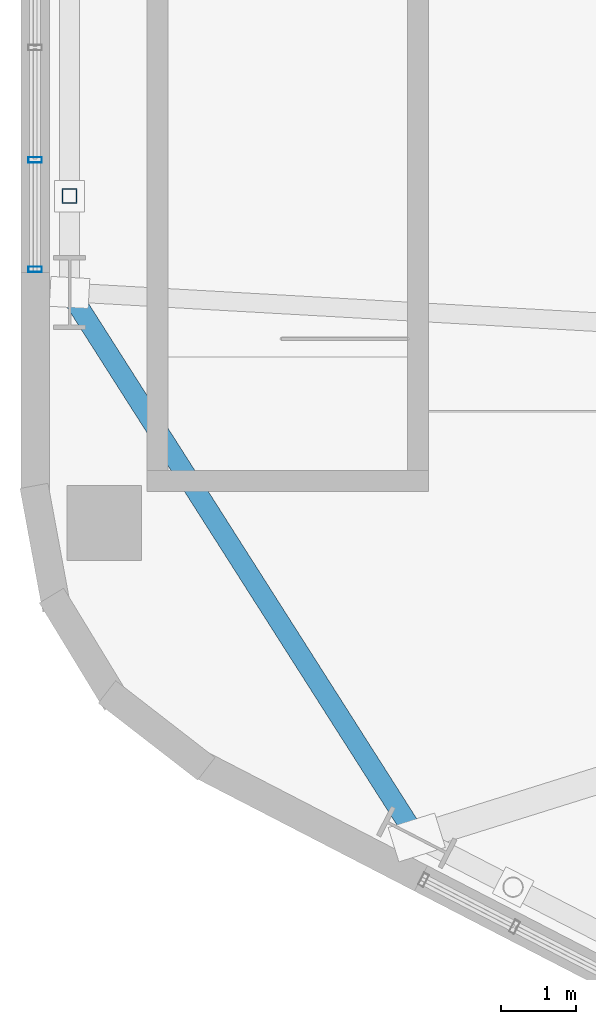
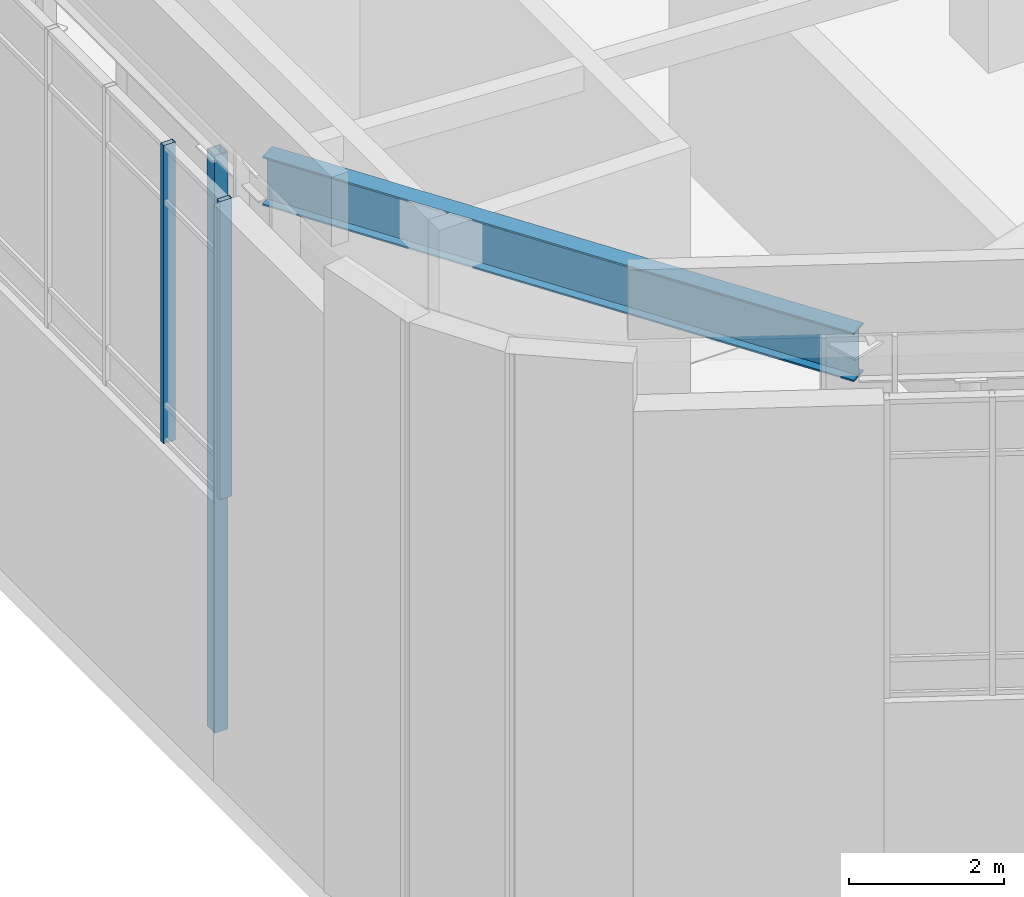
# One storey, part 3 of 23: 3 members, 1 beam, 1 element without a shape of its own.
"""IFC4 building model written with IfcOpenShell, lengths in metres."""

from ifc_helpers import new_model, si_unit, direction, frame, origin, origin_2d, place, context, subcontext, project, spatial, hollow_rectangle, i_section, extrude, material, layer, layer_set, material_profile, profile_set, type_object, element, aggregate, save


model = new_model("IFC4")

# Units and contexts
model_context = context("Model", 3, precision=1e-05, world=origin(), true_north=direction((0.0, 1.0)))
body_context = subcontext(model_context, "Body", "Model", "MODEL_VIEW")
ifc_project = project(units=[si_unit("LENGTHUNIT", "METRE"), si_unit("AREAUNIT", "SQUARE_METRE"), si_unit("VOLUMEUNIT", "CUBIC_METRE"), si_unit("PLANEANGLEUNIT", "RADIAN"), si_unit("MASSUNIT", "GRAM", prefix="KILO"), si_unit("THERMODYNAMICTEMPERATUREUNIT", "KELVIN"), si_unit("POWERUNIT", "WATT")], contexts=[model_context])

# Site, building, storey
site_placement = place(None, origin())
site = spatial("IfcSite", under=ifc_project, at=site_placement, CompositionType="ELEMENT")
building_placement = place(site_placement, origin())
building = spatial("IfcBuilding", under=site, at=building_placement, Name="Skarre Station Tower", CompositionType="ELEMENT")
storey_placement = place(building_placement, frame((0.0, 0.0, 291.300048828125)))
storey = spatial("IfcBuildingStorey", under=building, at=storey_placement, Name="RF", CompositionType="ELEMENT", Elevation=291.300048828125)

# Curtain wall, members
ifc_material_1 = material(Name="Thermally Broken Bronze-Anodized Aluminium & Triple Low-E Glass", Category="aluminium")
ifc_layer = layer(ifc_material_1, 0.179931640625, Name="Thermally Broken Bronze-Anodized Aluminium & Triple Low-E Glass")
ifc_layer_set = layer_set([ifc_layer], Name="Thermally Broken Bronze-Anodized Aluminium & Triple Low-E Glass")
curtain_wall_type = type_object("IfcCurtainWallType", Name="Nordic Bronze Crown Lantern Stick Curtain Wall", PredefinedType="NOTDEFINED", material=ifc_layer_set)
curtain_wall_placement = place(storey_placement, origin())
curtain_wall = element("IfcCurtainWall", 1, at=curtain_wall_placement, inside=storey, type_object=curtain_wall_type, Name="RF Crown Lantern Facet 2 Curtain Wall", PredefinedType="NOTDEFINED")
ifc_material_2 = material(Name="Anodized Aluminium 6063-T6", Category="aluminium")
ifc_material_profile_1 = material_profile(ifc_material_2, hollow_rectangle(XDim=0.074951171875, YDim=0.179931640625, WallThickness=0.00390625, at=origin_2d()), Name="Anodized Aluminium 6063-T6")
ifc_profile_set_1 = profile_set([ifc_material_profile_1], Name="Anodized Aluminium 6063-T6")
member_type_1 = type_object("IfcMemberType", Name="Curtain-Wall Unitised Tower Mullion 180x75", PredefinedType="MULLION", material=ifc_profile_set_1)
member_1_placement = place(storey_placement, frame((15.376953125, 20.287109375, 4.39990234375), z_axis=(0.0, 0.0, 1.0), x_axis=(0.0, 1.0, 0.0)))
member_1 = element("IfcMember", 2, at=member_1_placement, type_object=member_type_1, Name="RF Crown Lantern Facet 2 Curtain Wall Mullion 1", PredefinedType="MULLION", context=body_context, shape_type="SweptSolid", body=[
    extrude(hollow_rectangle(XDim=0.074951171875, YDim=0.179931640625, WallThickness=0.00390625, at=origin_2d()), origin(), (0.0, 0.0, 1.0), 4.7099609375),
])
member_2_placement = place(storey_placement, frame((15.376953125, 21.748046875, 4.39990234375), z_axis=(0.0, 0.0, 1.0), x_axis=(0.0, 1.0, 0.0)))
member_2 = element("IfcMember", 3, at=member_2_placement, type_object=member_type_1, Name="RF Crown Lantern Facet 2 Curtain Wall Mullion 2", PredefinedType="MULLION", context=body_context, shape_type="SweptSolid", body=[
    extrude(hollow_rectangle(XDim=0.074951171875, YDim=0.179931640625, WallThickness=0.00390625, at=origin_2d()), origin(), (0.0, 0.0, 1.0), 4.7099609375),
])
aggregate(curtain_wall, [member_1, member_2])

# Beam
ifc_material_3 = material(Name="Steel ASTM A992 Grade 50", Category="steel")
ifc_material_profile_2 = material_profile(ifc_material_3, i_section(OverallWidth=0.26806640625, OverallDepth=0.77001953125, WebThickness=0.01611328125, FlangeThickness=0.02490234375, at=origin_2d()), Name="Steel ASTM A992 Grade 50")
ifc_profile_set_2 = profile_set([ifc_material_profile_2], Name="Steel ASTM A992 Grade 50")
beam_type = type_object("IfcBeamType", Name="Steel Beam W30X132", PredefinedType="BEAM", material=ifc_profile_set_2)
beam_placement = place(storey_placement, frame((15.8369140625, 19.97900390625, 9.494873046875), z_axis=(0.537296523663, -0.843393410965, 0.0), x_axis=(0.843393410965, 0.537296523663, 0.0)))
element("IfcBeam", 4, at=beam_placement, inside=storey, type_object=beam_type, Name="RF Crown Lantern Cap Ring Beam 6", PredefinedType="BEAM", context=body_context, shape_type="SweptSolid", body=[
    extrude(i_section(OverallWidth=0.26806640625, OverallDepth=0.77001953125, WebThickness=0.01611328125, FlangeThickness=0.02490234375, at=origin_2d()), origin(), (0.0, 0.0, 1.0), 8.62841796875),
])

# Member
ifc_material_4 = material(Name="Steel ASTM A500 Grade C", Category="steel")
ifc_material_profile_3 = material_profile(ifc_material_4, hollow_rectangle(XDim=0.199951171875, YDim=0.199951171875, WallThickness=0.011962890625, at=origin_2d()), Name="Steel ASTM A500 Grade C")
ifc_profile_set_3 = profile_set([ifc_material_profile_3], Name="Steel ASTM A500 Grade C")
member_type_2 = type_object("IfcMemberType", Name="Steel Truss Strut HSS200X200X12", PredefinedType="STRUT", material=ifc_profile_set_3)
member_3_placement = place(storey_placement, frame((15.8369140625, 21.26611328125, 0.0), z_axis=(0.0, 0.0, 1.0), x_axis=(1.0, 0.0, 0.0)))
element("IfcMember", 5, at=member_3_placement, inside=storey, type_object=member_type_2, Name="RF Crown Pier Post 5B", PredefinedType="STRUT", context=body_context, shape_type="SweptSolid", body=[
    extrude(hollow_rectangle(XDim=0.199951171875, YDim=0.199951171875, WallThickness=0.011962890625, at=origin_2d()), origin(), (0.0, 0.0, 1.0), 9.119873046875),
])

save(model, "model.ifc")
